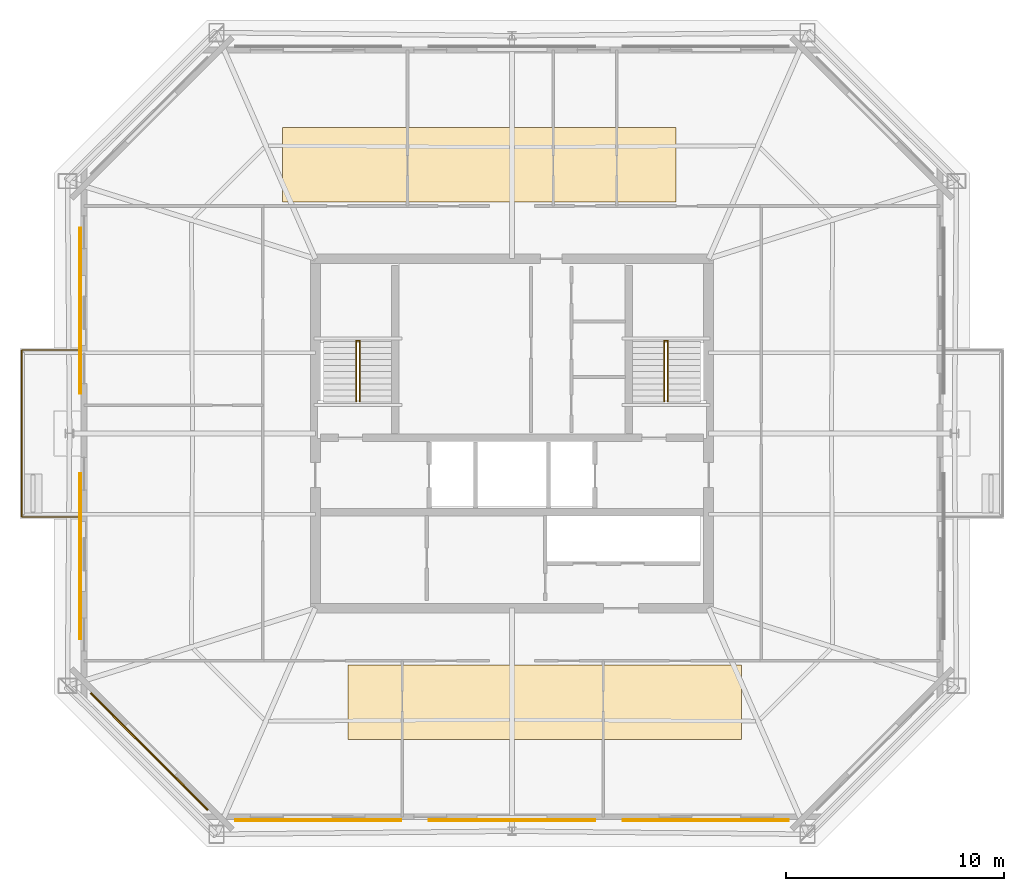
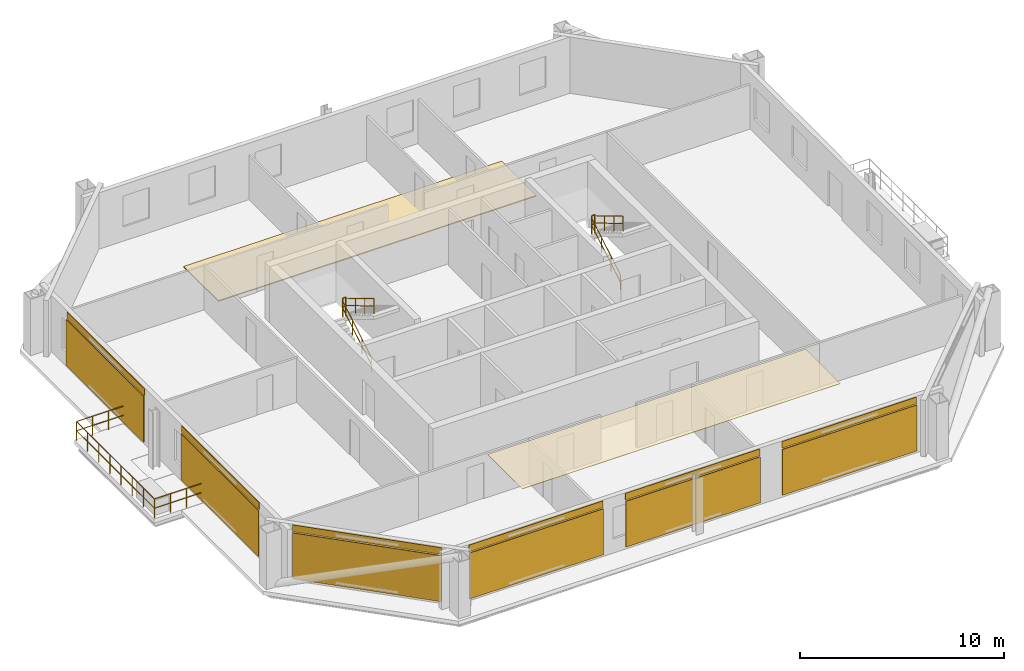
# One storey, part 6 of 7: 8 coverings, 7 railings, 6 shading devices.
"""IFC4 building model written with IfcOpenShell, lengths in metres."""

from ifc_helpers import new_model, si_unit, direction, frame, origin, origin_2d, place, context, subcontext, project, spatial, polyline, rectangle, circle, outline, extrude, material, layer, layer_set, type_object, element, save


model = new_model("IFC4")

# Units and contexts
model_context = context("Model", 3, precision=1e-05, world=origin(), true_north=direction((0.0, 1.0)))
body_context = subcontext(model_context, "Body", "Model", "MODEL_VIEW")
ifc_project = project(units=[si_unit("LENGTHUNIT", "METRE"), si_unit("AREAUNIT", "SQUARE_METRE"), si_unit("VOLUMEUNIT", "CUBIC_METRE"), si_unit("PLANEANGLEUNIT", "RADIAN"), si_unit("MASSUNIT", "GRAM", prefix="KILO")], contexts=[model_context])

# Site, building, storey
site_placement = place(None, origin())
site = spatial("IfcSite", under=ifc_project, at=site_placement, CompositionType="ELEMENT")
building_placement = place(site_placement, origin())
building = spatial("IfcBuilding", under=site, at=building_placement, Name="Caelvoria Tower", CompositionType="ELEMENT")
storey_placement = place(building_placement, frame((0.0, 0.0, 220.199951171875)))
storey = spatial("IfcBuildingStorey", under=building, at=storey_placement, Name="L58", CompositionType="ELEMENT", Elevation=220.199951171875)

# Railing
ifc_material_1 = material(Name="Bronze Anodised Aluminium and Stainless Steel", Category="steel")
railing_type_1 = type_object("IfcRailingType", Name="Exterior Terrace and Balcony Guardrail 1150", PredefinedType="GUARDRAIL", material=ifc_material_1)
railing_1_placement = place(storey_placement, frame((26.267333984375, 28.179931640625, 0.0)))
element("IfcRailing", 1, at=railing_1_placement, inside=storey, type_object=railing_type_1, Name="Tree Balcony Guardrail TB-L58-W", PredefinedType="GUARDRAIL", context=body_context, shape_type="SweptSolid", body=[
    extrude(circle(Radius=0.02392578125, at=origin_2d()), frame((0.0, 0.0, 1.1259765625), z_axis=(-1.0, 0.0, 0.0), x_axis=(0.0, -1.0, 0.0)), (0.0, 0.0, 1.0), 2.7099609375),
    extrude(circle(Radius=0.02392578125, at=origin_2d()), frame((0.0, 0.0, 0.574951171875), z_axis=(-1.0, 0.0, 0.0), x_axis=(0.0, -1.0, 0.0)), (0.0, 0.0, 1.0), 2.7099609375),
    extrude(circle(Radius=0.02392578125, at=origin_2d()), frame((-2.7099609375, 0.0, 1.1259765625), z_axis=(0.0, 1.0, 0.0), x_axis=(-1.0, 0.0, 0.0)), (0.0, 0.0, 1.0), 7.64013671875),
    extrude(circle(Radius=0.02392578125, at=origin_2d()), frame((-2.7099609375, 0.0, 0.574951171875), z_axis=(0.0, 1.0, 0.0), x_axis=(-1.0, 0.0, 0.0)), (0.0, 0.0, 1.0), 7.64013671875),
    extrude(circle(Radius=0.02392578125, at=origin_2d()), frame((-2.7099609375, 7.64013671875, 1.1259765625), z_axis=(1.0, 0.0, 0.0), x_axis=(0.0, 1.0, 0.0)), (0.0, 0.0, 1.0), 2.7099609375),
    extrude(circle(Radius=0.02392578125, at=origin_2d()), frame((-2.7099609375, 7.64013671875, 0.574951171875), z_axis=(1.0, 0.0, 0.0), x_axis=(0.0, 1.0, 0.0)), (0.0, 0.0, 1.0), 2.7099609375),
    extrude(circle(Radius=0.02099609375, at=origin_2d()), origin(), (0.0, 0.0, 1.0), 1.101806640625),
    extrude(circle(Radius=0.02099609375, at=origin_2d()), frame((-0.9033203125, 0.0, 0.0)), (0.0, 0.0, 1.0), 1.101806640625),
    extrude(circle(Radius=0.02099609375, at=origin_2d()), frame((-1.806640625, 0.0, 0.0)), (0.0, 0.0, 1.0), 1.101806640625),
    extrude(circle(Radius=0.02099609375, at=origin_2d()), frame((-2.7099609375, 0.0, 0.0)), (0.0, 0.0, 1.0), 1.101806640625),
    extrude(circle(Radius=0.02099609375, at=origin_2d()), frame((-2.7099609375, 1.091552734375, 0.0)), (0.0, 0.0, 1.0), 1.101806640625),
    extrude(circle(Radius=0.02099609375, at=origin_2d()), frame((-2.7099609375, 2.182861328125, 0.0)), (0.0, 0.0, 1.0), 1.101806640625),
    extrude(circle(Radius=0.02099609375, at=origin_2d()), frame((-2.7099609375, 3.2744140625, 0.0)), (0.0, 0.0, 1.0), 1.101806640625),
    extrude(circle(Radius=0.02099609375, at=origin_2d()), frame((-2.7099609375, 4.36572265625, 0.0)), (0.0, 0.0, 1.0), 1.101806640625),
    extrude(circle(Radius=0.02099609375, at=origin_2d()), frame((-2.7099609375, 5.457275390625, 0.0)), (0.0, 0.0, 1.0), 1.101806640625),
    extrude(circle(Radius=0.02099609375, at=origin_2d()), frame((-2.7099609375, 6.548583984375, 0.0)), (0.0, 0.0, 1.0), 1.101806640625),
    extrude(circle(Radius=0.02099609375, at=origin_2d()), frame((-2.7099609375, 7.64013671875, 0.0)), (0.0, 0.0, 1.0), 1.101806640625),
    extrude(circle(Radius=0.02099609375, at=origin_2d()), frame((-1.806640625, 7.64013671875, 0.0)), (0.0, 0.0, 1.0), 1.101806640625),
    extrude(circle(Radius=0.02099609375, at=origin_2d()), frame((-0.9033203125, 7.64013671875, 0.0)), (0.0, 0.0, 1.0), 1.101806640625),
    extrude(circle(Radius=0.02099609375, at=origin_2d()), frame((0.0, 7.64013671875, 0.0)), (0.0, 0.0, 1.0), 1.101806640625),
])

# Coverings
ifc_material_2 = material(Name="Acoustic Mineral Fibre Tile", Category="gypsum")
ifc_layer_1 = layer(ifc_material_2, 0.02490234375, Name="Acoustic Mineral Fibre Tile")
ifc_layer_set_1 = layer_set([ifc_layer_1], Name="Mineral-Fibre Acoustic Suspended Ceiling 25 - Acoustic Mineral Fibre Tile")
covering_type_1 = type_object("IfcCoveringType", Name="Mineral-Fibre Acoustic Suspended Ceiling 25", PredefinedType="CEILING", material=ifc_layer_set_1)
covering_1_placement = place(storey_placement, frame((0.0, 0.0, 2.650146484375)))
element("IfcCovering", 2, at=covering_1_placement, inside=storey, type_object=covering_type_1, Name="Suspended Acoustic Ceiling L58", PredefinedType="CEILING", context=body_context, shape_type="SweptSolid", body=[
    extrude(outline(polyline([(38.5, 18.0), (56.5, 18.0), (56.5, 21.39990234375), (38.5, 21.39990234375), (38.5, 18.0)])), origin(), (0.0, 0.0, 1.0), 0.02490234375),
])
ifc_material_3 = material(Name="Perforated Architectural Bronze Cladding Screen", Category="bronze")
ifc_layer_2 = layer(ifc_material_3, 0.0400390625, Name="Perforated Architectural Bronze Cladding Screen")
ifc_layer_set_2 = layer_set([ifc_layer_2], Name="Perforated Bronze Louvre Cladding Band 40 - Perforated Architectural Bronze Cladding Screen")
covering_type_2 = type_object("IfcCoveringType", Name="Perforated Bronze Louvre Cladding Band 40", PredefinedType="CLADDING", material=ifc_layer_set_2)
for number, where, z_axis, x_axis, name in (
    (3, (37.136962890625, 14.30810546875, 2.955078125), (0.0, 0.0, 1.0), (1.0, 0.0, 0.0), "Perforated Bronze Screen Band L58-E0-00"),
    (4, (46.0, 14.30810546875, 2.955078125), (0.0, 0.0, 1.0), (1.0, 0.0, 0.0), "Perforated Bronze Screen Band L58-E0-01"),
    (5, (54.863037109375, 14.30810546875, 2.955078125), (0.0, 0.0, 1.0), (1.0, 0.0, 0.0), "Perforated Bronze Screen Band L58-E0-02"),
    (6, (26.2626953125, 37.62451171875, 2.955078125), (0.0, 0.0, 1.0), (0.0, -1.0, 0.0), "Perforated Bronze Screen Band L58-E6-00"),
    (7, (26.2626953125, 26.37548828125, 2.955078125), (0.0, 0.0, 1.0), (0.0, -1.0, 0.0), "Perforated Bronze Screen Band L58-E6-01"),
):
    element("IfcCovering", number, at=place(storey_placement, frame(where, z_axis=z_axis, x_axis=x_axis)), inside=storey, type_object=covering_type_2, Name=name, PredefinedType="CLADDING", context=body_context, shape_type="SweptSolid", body=[
        extrude(rectangle(XDim=7.60009765625, YDim=0.0400390625, at=origin_2d()), origin(), (0.0, 0.0, 1.0), 0.39990234375),
    ])
covering_2_placement = place(storey_placement, frame((29.409912109375, 17.455322265625, 2.955078125), z_axis=(0.0, 0.0, 1.0), x_axis=(0.707106781187, -0.707106781187, 0.0)))
element("IfcCovering", 8, at=covering_2_placement, inside=storey, type_object=covering_type_2, Name="Perforated Bronze Screen Band L58-E7-00", PredefinedType="CLADDING", context=body_context, shape_type="SweptSolid", body=[
    extrude(rectangle(XDim=7.572509765625, YDim=0.0400390625, at=origin_2d()), origin(), (0.0, 0.0, 1.0), 0.39990234375),
])

# Shading devices
ifc_material_4 = material(Name="Perforated Architectural Bronze Alloy Panel", Category="bronze")
ifc_layer_3 = layer(ifc_material_4, 0.044921875, Name="Perforated Architectural Bronze Alloy Panel")
ifc_layer_set_3 = layer_set([ifc_layer_3], Name="Perforated Bronze Solar Screen Panel SCREEN - Perforated Architectural Bronze Alloy Panel")
shading_device_type = type_object("IfcShadingDeviceType", Name="Perforated Bronze Solar Screen Panel SCREEN", PredefinedType="USERDEFINED", material=ifc_layer_set_3)
for number, where, z_axis, x_axis, name in (
    (9, (37.136962890625, 14.26513671875, 0.16015625), (0.0, 0.0, 1.0), (1.0, 0.0, 0.0), "Perforated Bronze Solar Screen L58-E0-00"),
    (10, (46.0, 14.26513671875, 0.16015625), (0.0, 0.0, 1.0), (1.0, 0.0, 0.0), "Perforated Bronze Solar Screen L58-E0-01"),
    (11, (54.863037109375, 14.26513671875, 0.16015625), (0.0, 0.0, 1.0), (1.0, 0.0, 0.0), "Perforated Bronze Solar Screen L58-E0-02"),
    (12, (26.2197265625, 37.62451171875, 0.16015625), (0.0, 0.0, 1.0), (0.0, -1.0, 0.0), "Perforated Bronze Solar Screen L58-E6-00"),
    (13, (26.2197265625, 26.37548828125, 0.16015625), (0.0, 0.0, 1.0), (0.0, -1.0, 0.0), "Perforated Bronze Solar Screen L58-E6-01"),
):
    element("IfcShadingDevice", number, at=place(storey_placement, frame(where, z_axis=z_axis, x_axis=x_axis)), inside=storey, type_object=shading_device_type, Name=name, ObjectType="SCREEN", PredefinedType="USERDEFINED", context=body_context, shape_type="SweptSolid", body=[
        extrude(rectangle(XDim=7.60009765625, YDim=0.044921875, at=origin_2d()), origin(), (0.0, 0.0, 1.0), 2.75),
    ])
shading_device_placement = place(storey_placement, frame((29.379638671875, 17.425048828125, 0.16015625), z_axis=(0.0, 0.0, 1.0), x_axis=(0.707106781187, -0.707106781187, 0.0)))
element("IfcShadingDevice", 14, at=shading_device_placement, inside=storey, type_object=shading_device_type, Name="Perforated Bronze Solar Screen L58-E7-00", ObjectType="SCREEN", PredefinedType="USERDEFINED", context=body_context, shape_type="SweptSolid", body=[
    extrude(rectangle(XDim=7.572509765625, YDim=0.044921875, at=origin_2d()), origin(), (0.0, 0.0, 1.0), 2.75),
])

# Covering
ifc_material_5 = material(Name="Calcium-Sulphate Raised Floor Tile", Category="gypsum")
ifc_layer_4 = layer(ifc_material_5, 0.06005859375, Name="Calcium-Sulphate Raised Floor Tile")
ifc_layer_set_4 = layer_set([ifc_layer_4], Name="Raised Access Office Floor System 120 - Calcium-Sulphate Raised Floor Tile")
covering_type_3 = type_object("IfcCoveringType", Name="Raised Access Office Floor System 120", PredefinedType="FLOORING", material=ifc_layer_set_4)
covering_3_placement = place(storey_placement, origin())
element("IfcCovering", 15, at=covering_3_placement, inside=storey, type_object=covering_type_3, Name="Raised Access Flooring L58", PredefinedType="FLOORING", context=body_context, shape_type="SweptSolid", body=[
    extrude(outline(polyline([(35.5, 42.60009765625), (53.5, 42.60009765625), (53.5, 46.0), (35.5, 46.0), (35.5, 42.60009765625)])), origin(), (0.0, 0.0, 1.0), 0.06005859375),
])

# Railings
ifc_material_6 = material(Name="Brushed Stainless Steel Tube", Category="steel")
railing_type_2 = type_object("IfcRailingType", Name="Stair Tubular Stainless Handrail 920", PredefinedType="HANDRAIL", material=ifc_material_6)
railing_2_placement = place(storey_placement, frame((38.8701171875, 33.449951171875, 0.16357421875)))
element("IfcRailing", 16, at=railing_2_placement, inside=storey, type_object=railing_type_2, Name="ST-01 Flight 1 Handrail L58", PredefinedType="HANDRAIL", context=body_context, shape_type="SweptSolid", body=[
    extrude(circle(Radius=0.02392578125, at=origin_2d()), frame((0.0, 0.0, 0.89599609375), z_axis=(0.0, 0.859351957796, 0.511384603436), x_axis=(-1.0, 0.0, 0.0)), (0.0, 0.0, 1.0), 3.2001953125),
    extrude(circle(Radius=0.02392578125, at=origin_2d()), frame((0.0, 0.0, 0.4599609375), z_axis=(0.0, 0.859351957796, 0.511384603436), x_axis=(-1.0, 0.0, 0.0)), (0.0, 0.0, 1.0), 3.2001953125),
    extrude(circle(Radius=0.02099609375, at=origin_2d()), origin(), (0.0, 0.0, 1.0), 0.871826171875),
    extrude(circle(Radius=0.02099609375, at=origin_2d()), frame((0.0, 0.916748046875, 0.54541015625)), (0.0, 0.0, 1.0), 0.871826171875),
    extrude(circle(Radius=0.02099609375, at=origin_2d()), frame((0.0, 1.833251953125, 1.091064453125)), (0.0, 0.0, 1.0), 0.871826171875),
    extrude(circle(Radius=0.02099609375, at=origin_2d()), frame((0.0, 2.75, 1.636474609375)), (0.0, 0.0, 1.0), 0.871826171875),
])
railing_3_placement = place(storey_placement, frame((39.030029296875, 36.199951171875, 1.963623046875)))
element("IfcRailing", 17, at=railing_3_placement, inside=storey, type_object=railing_type_2, Name="ST-01 Flight 2 Handrail L58", PredefinedType="HANDRAIL", context=body_context, shape_type="SweptSolid", body=[
    extrude(circle(Radius=0.02392578125, at=origin_2d()), frame((0.0, 0.0, 0.89599609375), z_axis=(0.0, -0.859351957796, 0.511384603436), x_axis=(1.0, 0.0, 0.0)), (0.0, 0.0, 1.0), 3.2001953125),
    extrude(circle(Radius=0.02392578125, at=origin_2d()), frame((0.0, 0.0, 0.4599609375), z_axis=(0.0, -0.859351957796, 0.511384603436), x_axis=(1.0, 0.0, 0.0)), (0.0, 0.0, 1.0), 3.2001953125),
    extrude(circle(Radius=0.02099609375, at=origin_2d()), origin(), (0.0, 0.0, 1.0), 0.871826171875),
    extrude(circle(Radius=0.02099609375, at=origin_2d()), frame((0.0, -0.916748046875, 0.54541015625)), (0.0, 0.0, 1.0), 0.871826171875),
    extrude(circle(Radius=0.02099609375, at=origin_2d()), frame((0.0, -1.833251953125, 1.091064453125)), (0.0, 0.0, 1.0), 0.871826171875),
    extrude(circle(Radius=0.02099609375, at=origin_2d()), frame((0.0, -2.75, 1.636474609375)), (0.0, 0.0, 1.0), 0.871826171875),
])
railing_4_placement = place(storey_placement, frame((52.969970703125, 33.449951171875, 0.16357421875)))
element("IfcRailing", 18, at=railing_4_placement, inside=storey, type_object=railing_type_2, Name="ST-02 Flight 1 Handrail L58", PredefinedType="HANDRAIL", context=body_context, shape_type="SweptSolid", body=[
    extrude(circle(Radius=0.02392578125, at=origin_2d()), frame((0.0, 0.0, 0.89599609375), z_axis=(0.0, 0.859351957796, 0.511384603436), x_axis=(-1.0, 0.0, 0.0)), (0.0, 0.0, 1.0), 3.2001953125),
    extrude(circle(Radius=0.02392578125, at=origin_2d()), frame((0.0, 0.0, 0.4599609375), z_axis=(0.0, 0.859351957796, 0.511384603436), x_axis=(-1.0, 0.0, 0.0)), (0.0, 0.0, 1.0), 3.2001953125),
    extrude(circle(Radius=0.02099609375, at=origin_2d()), origin(), (0.0, 0.0, 1.0), 0.871826171875),
    extrude(circle(Radius=0.02099609375, at=origin_2d()), frame((0.0, 0.916748046875, 0.54541015625)), (0.0, 0.0, 1.0), 0.871826171875),
    extrude(circle(Radius=0.02099609375, at=origin_2d()), frame((0.0, 1.833251953125, 1.091064453125)), (0.0, 0.0, 1.0), 0.871826171875),
    extrude(circle(Radius=0.02099609375, at=origin_2d()), frame((0.0, 2.75, 1.636474609375)), (0.0, 0.0, 1.0), 0.871826171875),
])
railing_5_placement = place(storey_placement, frame((53.1298828125, 36.199951171875, 1.963623046875)))
element("IfcRailing", 19, at=railing_5_placement, inside=storey, type_object=railing_type_2, Name="ST-02 Flight 2 Handrail L58", PredefinedType="HANDRAIL", context=body_context, shape_type="SweptSolid", body=[
    extrude(circle(Radius=0.02392578125, at=origin_2d()), frame((0.0, 0.0, 0.89599609375), z_axis=(0.0, -0.859351957796, 0.511384603436), x_axis=(1.0, 0.0, 0.0)), (0.0, 0.0, 1.0), 3.2001953125),
    extrude(circle(Radius=0.02392578125, at=origin_2d()), frame((0.0, 0.0, 0.4599609375), z_axis=(0.0, -0.859351957796, 0.511384603436), x_axis=(1.0, 0.0, 0.0)), (0.0, 0.0, 1.0), 3.2001953125),
    extrude(circle(Radius=0.02099609375, at=origin_2d()), origin(), (0.0, 0.0, 1.0), 0.871826171875),
    extrude(circle(Radius=0.02099609375, at=origin_2d()), frame((0.0, -0.916748046875, 0.54541015625)), (0.0, 0.0, 1.0), 0.871826171875),
    extrude(circle(Radius=0.02099609375, at=origin_2d()), frame((0.0, -1.833251953125, 1.091064453125)), (0.0, 0.0, 1.0), 0.871826171875),
    extrude(circle(Radius=0.02099609375, at=origin_2d()), frame((0.0, -2.75, 1.636474609375)), (0.0, 0.0, 1.0), 0.871826171875),
])
ifc_material_7 = material(Name="Brushed Stainless Steel Guardrail", Category="steel")
railing_type_3 = type_object("IfcRailingType", Name="Stair Well and Ramp Guardrail 1120", PredefinedType="GUARDRAIL", material=ifc_material_7)
for number, where, name in (
    (20, (38.8701171875, 36.239990234375, 1.800048828125), "ST-01 Half-Landing Well Guard L58"),
    (21, (52.969970703125, 36.239990234375, 1.800048828125), "ST-02 Half-Landing Well Guard L58"),
):
    element("IfcRailing", number, at=place(storey_placement, frame(where)), inside=storey, type_object=railing_type_3, Name=name, PredefinedType="GUARDRAIL", context=body_context, shape_type="SweptSolid", body=[
        extrude(circle(Radius=0.02392578125, at=origin_2d()), frame((0.0, 0.0, 1.09619140625), z_axis=(1.0, 0.0, 0.0), x_axis=(0.0, 1.0, 0.0)), (0.0, 0.0, 1.0), 0.159912109375),
        extrude(circle(Radius=0.02392578125, at=origin_2d()), frame((0.0, 0.0, 0.56005859375), z_axis=(1.0, 0.0, 0.0), x_axis=(0.0, 1.0, 0.0)), (0.0, 0.0, 1.0), 0.159912109375),
        extrude(circle(Radius=0.02099609375, at=origin_2d()), origin(), (0.0, 0.0, 1.0), 1.072021484375),
        extrude(circle(Radius=0.02099609375, at=origin_2d()), frame((0.159912109375, 0.0, 0.0)), (0.0, 0.0, 1.0), 1.072021484375),
    ])

save(model, "model.ifc")
